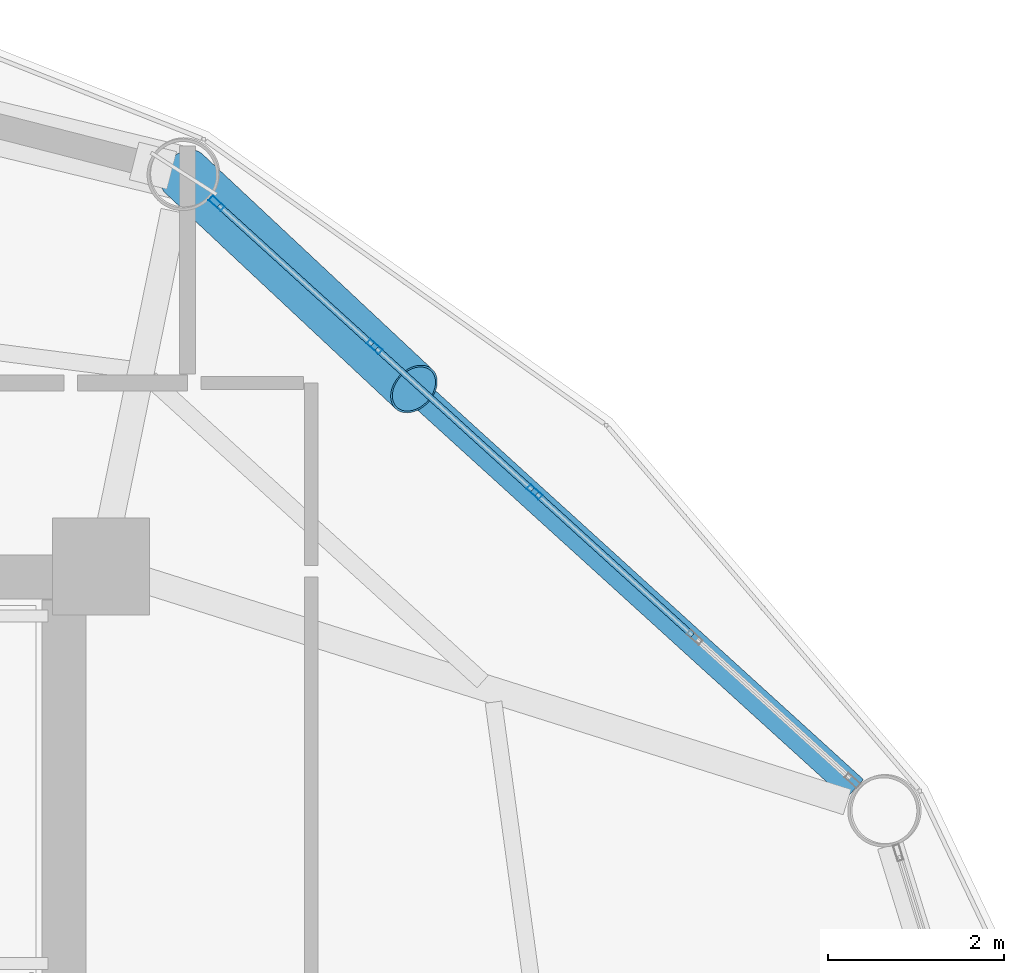
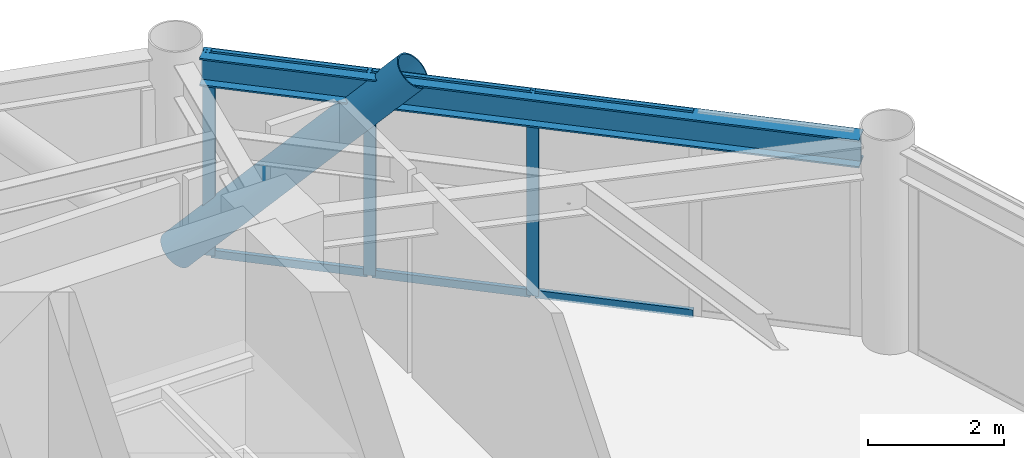
# One storey, part 19 of 26: 10 members, 1 beam, 1 element without a shape of its own.
"""IFC4 building model written with IfcOpenShell, lengths in metres."""

from ifc_helpers import new_model, si_unit, direction, frame, origin, origin_2d, place, context, subcontext, project, spatial, hollow_rectangle, hollow_circle, i_section, extrude, material, layer, layer_set, material_profile, profile_set, type_object, element, aggregate, save


model = new_model("IFC4")

# Units and contexts
model_context = context("Model", 3, precision=1e-05, world=origin(), true_north=direction((0.0, 1.0)))
body_context = subcontext(model_context, "Body", "Model", "MODEL_VIEW")
ifc_project = project(units=[si_unit("LENGTHUNIT", "METRE"), si_unit("AREAUNIT", "SQUARE_METRE"), si_unit("VOLUMEUNIT", "CUBIC_METRE"), si_unit("PLANEANGLEUNIT", "RADIAN"), si_unit("MASSUNIT", "GRAM", prefix="KILO")], contexts=[model_context])

# Site, building, storey
site_placement = place(None, origin())
site = spatial("IfcSite", under=ifc_project, at=site_placement, CompositionType="ELEMENT")
building_placement = place(site_placement, origin())
building = spatial("IfcBuilding", under=site, at=building_placement, Name="Varnakorn Sky Granary", CompositionType="ELEMENT")
storey_placement = place(building_placement, frame((0.0, 0.0, 87.60009765625)))
storey = spatial("IfcBuildingStorey", under=building, at=storey_placement, Name="L21", CompositionType="ELEMENT", Elevation=87.60009765625)

# Beam
ifc_material_1 = material(Name="Steel S355JR", Category="steel")
ifc_material_profile_1 = material_profile(ifc_material_1, i_section(OverallWidth=0.300048828125, OverallDepth=0.5, WebThickness=0.014404296875, FlangeThickness=0.028076171875, at=origin_2d()), Name="HE 500 B")
ifc_profile_set_1 = profile_set([ifc_material_profile_1], Name="Steel S355JR")
beam_type = type_object("IfcBeamType", Name="BM-SPD-Z2", PredefinedType="SPANDREL", material=ifc_profile_set_1)
beam_placement = place(storey_placement, frame((16.9580078125, 10.0966796875, 3.389892578125), z_axis=(-0.740163814334, 0.6724265967, 0.0), x_axis=(-0.6724265967, -0.740163814334, 0.0)))
element("IfcBeam", 1, at=beam_placement, inside=storey, type_object=beam_type, Name="Perimeter Spandrel Ring Beam RB02 L21", PredefinedType="SPANDREL", context=body_context, shape_type="SweptSolid", body=[
    extrude(i_section(OverallWidth=0.300048828125, OverallDepth=0.5, WebThickness=0.014404296875, FlangeThickness=0.028076171875, at=origin_2d()), origin(), (0.0, 0.0, 1.0), 9.92236328125),
])

# Curtain wall, members
ifc_material_2 = material(Name="Anodised Bronze Aluminium Alloy 6063-T6", Category="aluminium")
ifc_layer = layer(ifc_material_2, 0.18994140625, Name="Anodised Bronze Aluminium Alloy 6063-T6")
ifc_layer_set = layer_set([ifc_layer], Name="Anodised Bronze Aluminium Alloy 6063-T6")
curtain_wall_type = type_object("IfcCurtainWallType", Name="CW-FRM-1", PredefinedType="USERDEFINED", material=ifc_layer_set)
curtain_wall_placement = place(storey_placement, origin())
curtain_wall = element("IfcCurtainWall", 2, at=curtain_wall_placement, inside=storey, type_object=curtain_wall_type, Name="Unitised Curtain Wall CW3 CW-L21-B02", ObjectType="CURTAIN WALL", PredefinedType="USERDEFINED")
ifc_material_profile_2 = material_profile(ifc_material_2, hollow_rectangle(XDim=0.070068359375, YDim=0.18505859375, WallThickness=0.00390625, at=origin_2d()), Name="ALU MULL 70x185")
ifc_profile_set_2 = profile_set([ifc_material_profile_2], Name="Anodised Bronze Aluminium Alloy 6063-T6")
member_type_1 = type_object("IfcMemberType", Name="CW-FRM-1-MULL", PredefinedType="MULLION", material=ifc_profile_set_2)
member_1_placement = place(storey_placement, frame((9.728759765625, 16.736572265625, 0.0), z_axis=(0.0, 0.0, 1.0), x_axis=(0.672190262797, 0.74037845093, 0.0)))
member_1 = element("IfcMember", 3, at=member_1_placement, type_object=member_type_1, Name="CW3 mullion 1", PredefinedType="MULLION", context=body_context, shape_type="SweptSolid", body=[
    extrude(hollow_rectangle(XDim=0.070068359375, YDim=0.18505859375, WallThickness=0.00390625, at=origin_2d()), origin(), (0.0, 0.0, 1.0), 3.639892578125),
])
member_2_placement = place(storey_placement, frame((11.517333984375, 15.11279296875, 0.0), z_axis=(0.0, 0.0, 1.0), x_axis=(0.672190262797, 0.74037845093, 0.0)))
member_2 = element("IfcMember", 4, at=member_2_placement, type_object=member_type_1, Name="CW3 mullion 2", PredefinedType="MULLION", context=body_context, shape_type="SweptSolid", body=[
    extrude(hollow_rectangle(XDim=0.070068359375, YDim=0.18505859375, WallThickness=0.00390625, at=origin_2d()), origin(), (0.0, 0.0, 1.0), 3.639892578125),
])
member_3_placement = place(storey_placement, frame((13.33154296875, 13.465576171875, 0.0), z_axis=(0.0, 0.0, 1.0), x_axis=(0.672190262797, 0.74037845093, 0.0)))
member_3 = element("IfcMember", 5, at=member_3_placement, type_object=member_type_1, Name="CW3 mullion 3", PredefinedType="MULLION", context=body_context, shape_type="SweptSolid", body=[
    extrude(hollow_rectangle(XDim=0.070068359375, YDim=0.18505859375, WallThickness=0.00390625, at=origin_2d()), origin(), (0.0, 0.0, 1.0), 3.639892578125),
])
ifc_material_profile_3 = material_profile(ifc_material_2, hollow_rectangle(XDim=0.070068359375, YDim=0.139892578125, WallThickness=0.00341796875, at=origin_2d()), Name="ALU TRAN 70x140")
ifc_profile_set_3 = profile_set([ifc_material_profile_3], Name="Anodised Bronze Aluminium Alloy 6063-T6")
member_type_2 = type_object("IfcMemberType", Name="CW-FRM-1-TRAN", PredefinedType="USERDEFINED", material=ifc_profile_set_3)
member_4_placement = place(storey_placement, frame((9.754638671875, 16.713134765625, 0.034912109375), z_axis=(0.740420250797, -0.672144219799, 0.0), x_axis=(0.672144219799, 0.740420250797, 0.0)))
member_4 = element("IfcMember", 6, at=member_4_placement, type_object=member_type_2, Name="CW3 transom 1.1", ObjectType="TRANSOM", PredefinedType="USERDEFINED", context=body_context, shape_type="SweptSolid", body=[
    extrude(hollow_rectangle(XDim=0.070068359375, YDim=0.139892578125, WallThickness=0.00341796875, at=origin_2d()), origin(), (0.0, 0.0, 1.0), 2.345703125),
])
member_5_placement = place(storey_placement, frame((9.754638671875, 16.713134765625, 3.60498046875), z_axis=(0.740420250797, -0.672144219799, 0.0), x_axis=(0.672144219799, 0.740420250797, 0.0)))
member_5 = element("IfcMember", 7, at=member_5_placement, type_object=member_type_2, Name="CW3 transom 1.2", ObjectType="TRANSOM", PredefinedType="USERDEFINED", context=body_context, shape_type="SweptSolid", body=[
    extrude(hollow_rectangle(XDim=0.070068359375, YDim=0.139892578125, WallThickness=0.00341796875, at=origin_2d()), origin(), (0.0, 0.0, 1.0), 2.345703125),
])
member_6_placement = place(storey_placement, frame((11.543212890625, 15.08935546875, 0.034912109375), z_axis=(0.740334383082, -0.67223879777, 0.0), x_axis=(0.67223879777, 0.740334383082, 0.0)))
member_6 = element("IfcMember", 8, at=member_6_placement, type_object=member_type_2, Name="CW3 transom 2.1", ObjectType="TRANSOM", PredefinedType="USERDEFINED", context=body_context, shape_type="SweptSolid", body=[
    extrude(hollow_rectangle(XDim=0.070068359375, YDim=0.139892578125, WallThickness=0.00341796875, at=origin_2d()), origin(), (0.0, 0.0, 1.0), 2.380615234375),
])
member_7_placement = place(storey_placement, frame((11.543212890625, 15.08935546875, 3.60498046875), z_axis=(0.740334383082, -0.67223879777, 0.0), x_axis=(0.67223879777, 0.740334383082, 0.0)))
member_7 = element("IfcMember", 9, at=member_7_placement, type_object=member_type_2, Name="CW3 transom 2.2", ObjectType="TRANSOM", PredefinedType="USERDEFINED", context=body_context, shape_type="SweptSolid", body=[
    extrude(hollow_rectangle(XDim=0.070068359375, YDim=0.139892578125, WallThickness=0.00341796875, at=origin_2d()), origin(), (0.0, 0.0, 1.0), 2.380615234375),
])
member_8_placement = place(storey_placement, frame((13.357421875, 13.442138671875, 0.034912109375), z_axis=(0.740380722285, -0.672187761022, 0.0), x_axis=(0.672187761022, 0.740380722285, 0.0)))
member_8 = element("IfcMember", 10, at=member_8_placement, type_object=member_type_2, Name="CW3 transom 3.1", ObjectType="TRANSOM", PredefinedType="USERDEFINED", context=body_context, shape_type="SweptSolid", body=[
    extrude(hollow_rectangle(XDim=0.070068359375, YDim=0.139892578125, WallThickness=0.00341796875, at=origin_2d()), origin(), (0.0, 0.0, 1.0), 2.380859375),
])
member_9_placement = place(storey_placement, frame((13.357421875, 13.442138671875, 3.60498046875), z_axis=(0.740380722285, -0.672187761022, 0.0), x_axis=(0.672187761022, 0.740380722285, 0.0)))
member_9 = element("IfcMember", 11, at=member_9_placement, type_object=member_type_2, Name="CW3 transom 3.2", ObjectType="TRANSOM", PredefinedType="USERDEFINED", context=body_context, shape_type="SweptSolid", body=[
    extrude(hollow_rectangle(XDim=0.070068359375, YDim=0.139892578125, WallThickness=0.00341796875, at=origin_2d()), origin(), (0.0, 0.0, 1.0), 2.380859375),
])
aggregate(curtain_wall, [member_1, member_2, member_3, member_4, member_5, member_6, member_7, member_8, member_9])

# Member
ifc_material_3 = material(Name="Steel S460M", Category="steel")
ifc_material_profile_4 = material_profile(ifc_material_3, hollow_circle(Radius=0.304931640625, WallThickness=0.022216796875, at=origin_2d()), Name="CHS 610x22")
ifc_profile_set_4 = profile_set([ifc_material_profile_4], Name="Steel S460M")
member_type_3 = type_object("IfcMemberType", Name="MB-DIAG-T1", PredefinedType="BRACE", material=ifc_profile_set_4)
member_10_placement = place(storey_placement, frame((9.357421875, 17.07373046875, 0.0), z_axis=(0.500717987003, -0.468746292673, 0.727707640881), x_axis=(0.683415763034, 0.730029379434, 0.0)))
element("IfcMember", 12, at=member_10_placement, inside=storey, type_object=member_type_3, Name="Perimeter CHS Diagrid Brace DG02 L21", PredefinedType="BRACE", context=body_context, shape_type="SweptSolid", body=[
    extrude(hollow_circle(Radius=0.304931640625, WallThickness=0.022216796875, at=origin_2d()), origin(), (0.0, 0.0, 1.0), 5.207763671875),
])

save(model, "model.ifc")
